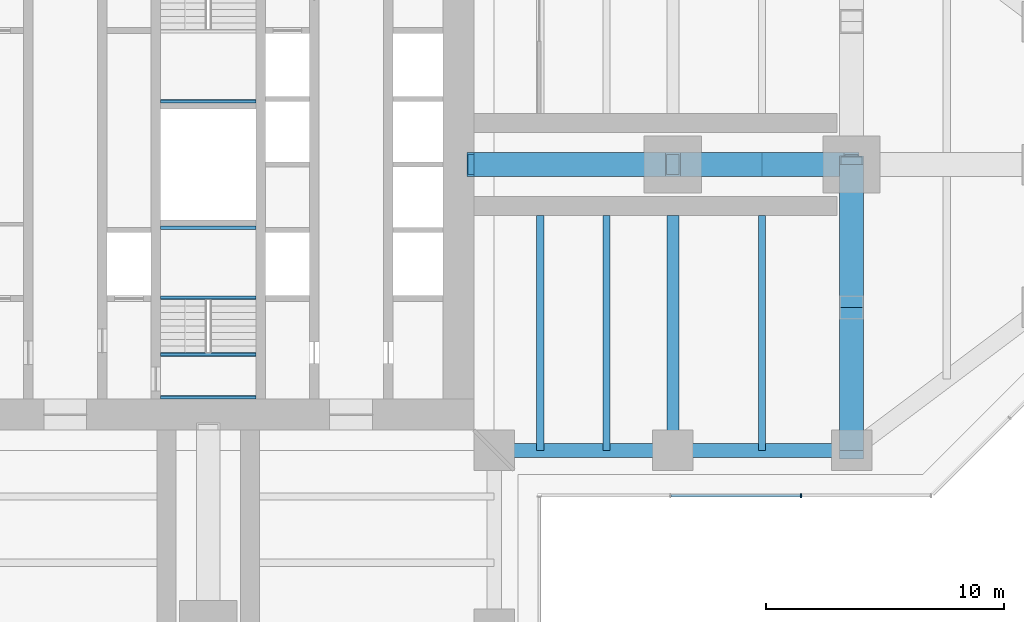
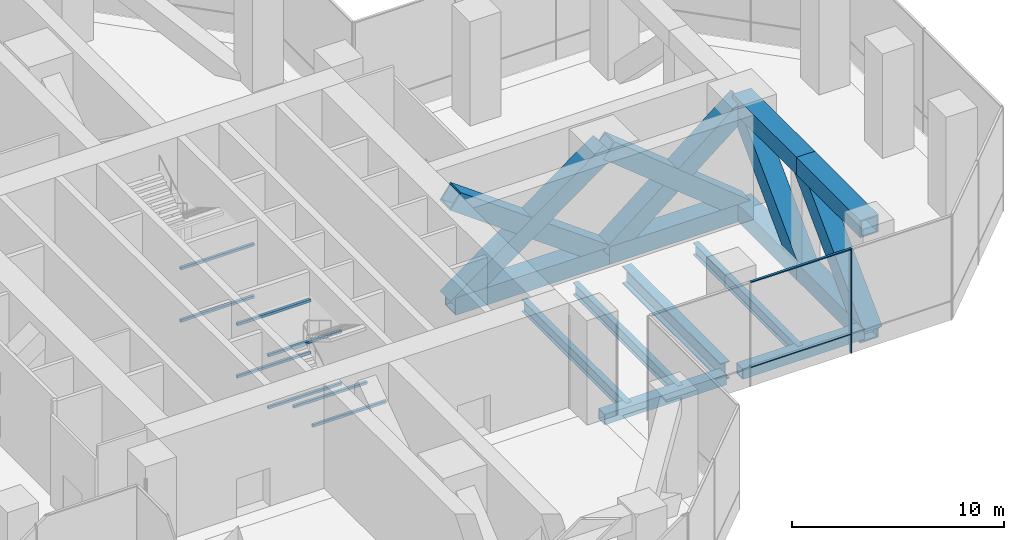
# One storey, part 5 of 19: 16 beams, 13 members, 1 element without a shape of its own.
"""IFC4 building model written with IfcOpenShell, lengths in metres."""

from ifc_helpers import new_model, si_unit, direction, frame, origin, origin_2d, place, context, subcontext, project, spatial, rectangle, hollow_rectangle, i_section, extrude, material, material_profile, profile_set, type_object, element, aggregate, save


model = new_model("IFC4")

# Units and contexts
model_context = context("Model", 3, precision=1e-05, world=origin(), true_north=direction((0.0, 1.0)))
body_context = subcontext(model_context, "Body", "Model", "MODEL_VIEW")
ifc_project = project(units=[si_unit("LENGTHUNIT", "METRE"), si_unit("AREAUNIT", "SQUARE_METRE"), si_unit("VOLUMEUNIT", "CUBIC_METRE"), si_unit("PLANEANGLEUNIT", "RADIAN"), si_unit("MASSUNIT", "GRAM", prefix="KILO")], contexts=[model_context])

# Site, building, storey
site_placement = place(None, origin())
site = spatial("IfcSite", under=ifc_project, at=site_placement, CompositionType="ELEMENT")
building_placement = place(site_placement, origin())
building = spatial("IfcBuilding", under=site, at=building_placement, Name="Mizan Broadcast Tower", CompositionType="ELEMENT")
storey_placement = place(building_placement, frame((0.0, 0.0, 198.89990234375)))
storey = spatial("IfcBuildingStorey", under=building, at=storey_placement, Name="L46", CompositionType="ELEMENT", Elevation=198.89990234375)

# Members
ifc_material_1 = material(Name="Steel S460", Category="steel")
ifc_material_profile_1 = material_profile(ifc_material_1, hollow_rectangle(XDim=1.0, YDim=1.0, WallThickness=0.080078125, at=origin_2d()), Name="BOX 1000x1000x80")
ifc_profile_set_1 = profile_set([ifc_material_profile_1], Name="Steel S460")
member_type_1 = type_object("IfcMemberType", Name="BELT TRUSS BT3 CHORD BOX 1000x1000x80", PredefinedType="CHORD", material=ifc_profile_set_1)
for number, where, z_axis, x_axis, name in (
    (1, (27.0, -12.0, -0.679931640625), (0.0, 1.0, 0.0), (-1.0, 0.0, 0.0), "Belt truss BT3-E27 bottom chord 1"),
    (2, (27.0, -12.0, 5.3701171875), (0.0, 1.0, 0.0), (-1.0, 0.0, 0.0), "Belt truss BT3-E27 top chord 1"),
    (3, (27.0, -6.0, -0.679931640625), (0.0, 1.0, 0.0), (-1.0, 0.0, 0.0), "Belt truss BT3-E27 bottom chord 2"),
    (4, (27.0, -6.0, 5.3701171875), (0.0, 1.0, 0.0), (-1.0, 0.0, 0.0), "Belt truss BT3-E27 top chord 2"),
):
    element("IfcMember", number, at=place(storey_placement, frame(where, z_axis=z_axis, x_axis=x_axis)), inside=storey, type_object=member_type_1, Name=name, PredefinedType="CHORD", context=body_context, shape_type="SweptSolid", body=[
        extrude(hollow_rectangle(XDim=1.0, YDim=1.0, WallThickness=0.080078125, at=origin_2d()), origin(), (0.0, 0.0, 1.0), 6.0),
    ])
ifc_material_2 = material(Name="Steel S460", Category="steel")
ifc_material_profile_2 = material_profile(ifc_material_2, hollow_rectangle(XDim=1.0, YDim=1.0, WallThickness=0.06005859375, at=origin_2d()), Name="BOX 1000x1000x60")
ifc_profile_set_2 = profile_set([ifc_material_profile_2], Name="Steel S460")
member_type_2 = type_object("IfcMemberType", Name="BELT TRUSS BT3 DIAGONAL BOX 1000x1000x60", PredefinedType="BRACE", material=ifc_profile_set_2)
for number, where, z_axis, x_axis, name in (
    (5, (27.0, -12.0, -0.679931640625), (0.0, 0.704163801085, 0.710037563261), (-1.0, 0.0, 0.0), "Belt truss BT3-E27 diagonal 1"),
    (6, (27.0, -6.0, -0.679931640625), (0.0, 0.704163801085, 0.710037563261), (-1.0, 0.0, 0.0), "Belt truss BT3-E27 diagonal 2"),
):
    element("IfcMember", number, at=place(storey_placement, frame(where, z_axis=z_axis, x_axis=x_axis)), inside=storey, type_object=member_type_2, Name=name, PredefinedType="BRACE", context=body_context, shape_type="SweptSolid", body=[
        extrude(hollow_rectangle(XDim=1.0, YDim=1.0, WallThickness=0.06005859375, at=origin_2d()), origin(), (0.0, 0.0, 1.0), 8.520751953125),
    ])

# Beams
ifc_material_3 = material(Name="Steel S355", Category="steel")
ifc_material_profile_3 = material_profile(ifc_material_3, hollow_rectangle(XDim=0.60009765625, YDim=0.60009765625, WallThickness=0.0400390625, at=origin_2d()), Name="BOX 600x600x40")
ifc_profile_set_3 = profile_set([ifc_material_profile_3], Name="Steel S355")
beam_type_1 = type_object("IfcBeamType", Name="EDGE BEAM BOX 600x600x40", PredefinedType="SPANDREL", material=ifc_profile_set_3)
for number, where, z_axis, x_axis, name in (
    (7, (12.449951171875, -12.0, -0.47998046875), (1.0, 0.0, 0.0), (0.0, 1.0, 0.0), "Edge beam BOX 600x600x40 L46 east arm"),
    (8, (19.949951171875, -12.0, -0.47998046875), (1.0, 0.0, 0.0), (0.0, 1.0, 0.0), "Edge beam BOX 600x600x40 L46 east arm"),
):
    element("IfcBeam", number, at=place(storey_placement, frame(where, z_axis=z_axis, x_axis=x_axis)), inside=storey, type_object=beam_type_1, Name=name, PredefinedType="SPANDREL", context=body_context, shape_type="SweptSolid", body=[
        extrude(hollow_rectangle(XDim=0.60009765625, YDim=0.60009765625, WallThickness=0.0400390625, at=origin_2d()), origin(), (0.0, 0.0, 1.0), 6.60009765625),
    ])
ifc_material_4 = material(Name="Steel S460", Category="steel")
ifc_material_profile_4 = material_profile(ifc_material_4, i_section(OverallWidth=0.5, OverallDepth=1.0, WebThickness=0.02490234375, FlangeThickness=0.050048828125, at=origin_2d()), Name="WPG 1000x500")
ifc_profile_set_4 = profile_set([ifc_material_profile_4], Name="Steel S460")
beam_type_2 = type_object("IfcBeamType", Name="GIRDER WPG 1000x500", PredefinedType="BEAM", material=ifc_profile_set_4)
beam_1_placement = place(storey_placement, frame((19.5, -11.408935546875, -0.679931640625), z_axis=(0.0, 1.0, 0.0), x_axis=(-1.0, 0.0, 0.0)))
element("IfcBeam", 9, at=beam_1_placement, inside=storey, type_object=beam_type_2, Name="Girder WPG 1000x500 L46 east arm", PredefinedType="BEAM", context=body_context, shape_type="SweptSolid", body=[
    extrude(i_section(OverallWidth=0.5, OverallDepth=1.0, WebThickness=0.02490234375, FlangeThickness=0.050048828125, at=origin_2d()), origin(), (0.0, 0.0, 1.0), 9.259033203125),
])

# Curtain wall, members
ifc_material_5 = material(Name="Aluminium framed glazing", Category="aluminium")
curtain_wall_type = type_object("IfcCurtainWallType", Name="PLANT LOUVRE", PredefinedType="USERDEFINED", material=ifc_material_5)
curtain_wall_placement = place(storey_placement, origin())
curtain_wall = element("IfcCurtainWall", 10, at=curtain_wall_placement, inside=storey, type_object=curtain_wall_type, Name="Plant louvre L46 E side", ObjectType="PLANT LOUVRE", PredefinedType="USERDEFINED")
ifc_material_6 = material(Name="Aluminium, pale anodised", Category="aluminium")
ifc_material_profile_5 = material_profile(ifc_material_6, rectangle(XDim=0.159912109375, YDim=0.06005859375, at=origin_2d()), Name="MULLION 160x60")
ifc_profile_set_5 = profile_set([ifc_material_profile_5], Name="Aluminium, pale anodised")
member_type_3 = type_object("IfcMemberType", Name="INNER SKIN MULLION 60x160", PredefinedType="MULLION", material=ifc_profile_set_5)
member_1_placement = place(storey_placement, frame((24.8818359375, -13.89990234375, 0.0), z_axis=(0.0, 0.0, 1.0), x_axis=(0.0, 1.0, 0.0)))
member_1 = element("IfcMember", 11, at=member_1_placement, type_object=member_type_3, Name="Plant louvre L46 E side mullion 3", PredefinedType="MULLION", context=body_context, shape_type="SweptSolid", body=[
    extrude(rectangle(XDim=0.159912109375, YDim=0.06005859375, at=origin_2d()), origin(), (0.0, 0.0, 1.0), 6.0),
])
ifc_material_7 = material(Name="Aluminium, pale anodised", Category="aluminium")
ifc_material_profile_6 = material_profile(ifc_material_7, rectangle(XDim=0.1201171875, YDim=0.06005859375, at=origin_2d()), Name="TRANSOM 120x60")
ifc_profile_set_6 = profile_set([ifc_material_profile_6], Name="Aluminium, pale anodised")
member_type_4 = type_object("IfcMemberType", Name="INNER SKIN TRANSOM 60x120", PredefinedType="USERDEFINED", material=ifc_profile_set_6)
member_2_placement = place(storey_placement, frame((19.4208984375, -13.89990234375, 1.10009765625), z_axis=(1.0, 0.0, 0.0), x_axis=(0.0, 1.0, 0.0)))
member_2 = element("IfcMember", 12, at=member_2_placement, type_object=member_type_4, Name="Plant louvre L46 E side transom 2.1", ObjectType="TRANSOM", PredefinedType="USERDEFINED", context=body_context, shape_type="SweptSolid", body=[
    extrude(rectangle(XDim=0.1201171875, YDim=0.06005859375, at=origin_2d()), origin(), (0.0, 0.0, 1.0), 5.430908203125),
])
member_3_placement = place(storey_placement, frame((19.4208984375, -13.89990234375, 5.97021484375), z_axis=(1.0, 0.0, 0.0), x_axis=(0.0, 1.0, 0.0)))
member_3 = element("IfcMember", 13, at=member_3_placement, type_object=member_type_4, Name="Plant louvre L46 E side transom 2.2", ObjectType="TRANSOM", PredefinedType="USERDEFINED", context=body_context, shape_type="SweptSolid", body=[
    extrude(rectangle(XDim=0.1201171875, YDim=0.06005859375, at=origin_2d()), origin(), (0.0, 0.0, 1.0), 5.430908203125),
])
aggregate(curtain_wall, [member_1, member_2, member_3])

# Beams
ifc_material_8 = material(Name="Steel S355", Category="steel")
ifc_material_profile_7 = material_profile(ifc_material_8, hollow_rectangle(XDim=0.14990234375, YDim=0.14990234375, WallThickness=0.008056640625, InnerFilletRadius=0.008056640625, OuterFilletRadius=0.011962890625, at=origin_2d()), Name="SHS 150x150x8")
ifc_profile_set_7 = profile_set([ifc_material_profile_7], Name="Steel S355")
beam_type_3 = type_object("IfcBeamType", Name="LANDING TRIMMER SHS 150x150x8", PredefinedType="BEAM", material=ifc_profile_set_7)
for number, where, z_axis, x_axis, name in (
    (14, (-2.0, -5.5849609375, 1.22509765625), (1.0, 0.0, 0.0), (0.0, 1.0, 0.0), "Stair A landing trimmer L46"),
    (15, (-2.0, -2.64990234375, 1.22509765625), (1.0, 0.0, 0.0), (0.0, 1.0, 0.0), "Stair A landing trimmer L46"),
    (16, (-2.0, -9.77490234375, 2.72509765625), (1.0, 0.0, 0.0), (0.0, 1.0, 0.0), "Stair A landing trimmer L46"),
    (17, (-2.0, -7.97509765625, 2.72509765625), (1.0, 0.0, 0.0), (0.0, 1.0, 0.0), "Stair A landing trimmer L46"),
    (18, (-2.0, -5.5849609375, 4.22509765625), (1.0, 0.0, 0.0), (0.0, 1.0, 0.0), "Stair A landing trimmer L46"),
    (19, (-2.0, -2.64990234375, 4.22509765625), (1.0, 0.0, 0.0), (0.0, 1.0, 0.0), "Stair A landing trimmer L46"),
    (20, (2.0, 2.64990234375, 1.22509765625), (-1.0, 0.0, 0.0), (0.0, -1.0, 0.0), "Stair B landing trimmer L46"),
    (21, (2.0, 2.64990234375, 4.22509765625), (-1.0, 0.0, 0.0), (0.0, -1.0, 0.0), "Stair B landing trimmer L46"),
):
    element("IfcBeam", number, at=place(storey_placement, frame(where, z_axis=z_axis, x_axis=x_axis)), inside=storey, type_object=beam_type_3, Name=name, PredefinedType="BEAM", context=body_context, shape_type="SweptSolid", body=[
        extrude(hollow_rectangle(XDim=0.14990234375, YDim=0.14990234375, WallThickness=0.008056640625, InnerFilletRadius=0.008056640625, OuterFilletRadius=0.011962890625, at=origin_2d()), origin(), (0.0, 0.0, 1.0), 4.0),
    ])
ifc_material_9 = material(Name="Steel S460", Category="steel")
ifc_material_profile_8 = material_profile(ifc_material_9, hollow_rectangle(XDim=1.0, YDim=1.0, WallThickness=0.080078125, at=origin_2d()), Name="BOX 1000x1000x80")
ifc_profile_set_8 = profile_set([ifc_material_profile_8], Name="Steel S460")
beam_type_4 = type_object("IfcBeamType", Name="OUTRIGGER TRUSS OT3 CHORD BOX 1000x1000x80", PredefinedType="BEAM", material=ifc_profile_set_8)
beam_2_placement = place(storey_placement, frame((11.14990234375, 0.0, -0.679931640625), z_axis=(1.0, 0.0, 0.0), x_axis=(0.0, 1.0, 0.0)))
element("IfcBeam", 22, at=beam_2_placement, inside=storey, type_object=beam_type_4, Name="Outrigger truss OT3-E bottom chord 1", PredefinedType="BEAM", context=body_context, shape_type="SweptSolid", body=[
    extrude(hollow_rectangle(XDim=1.0, YDim=1.0, WallThickness=0.080078125, at=origin_2d()), origin(), (0.0, 0.0, 1.0), 8.35009765625),
])
beam_3_placement = place(storey_placement, frame((19.5, 0.0, -0.679931640625), z_axis=(1.0, 0.0, 0.0), x_axis=(0.0, 1.0, 0.0)))
element("IfcBeam", 23, at=beam_3_placement, inside=storey, type_object=beam_type_4, Name="Outrigger truss OT3-E bottom chord 2", PredefinedType="BEAM", context=body_context, shape_type="SweptSolid", body=[
    extrude(hollow_rectangle(XDim=1.0, YDim=1.0, WallThickness=0.080078125, at=origin_2d()), origin(), (0.0, 0.0, 1.0), 7.5),
])

# Members
ifc_material_10 = material(Name="Steel S460", Category="steel")
ifc_material_profile_9 = material_profile(ifc_material_10, hollow_rectangle(XDim=1.0, YDim=1.0, WallThickness=0.080078125, at=origin_2d()), Name="BOX 1000x1000x80")
ifc_profile_set_9 = profile_set([ifc_material_profile_9], Name="Steel S460")
member_type_5 = type_object("IfcMemberType", Name="OUTRIGGER TRUSS OT3 DIAGONAL BOX 1000x1000x80", PredefinedType="BRACE", material=ifc_profile_set_9)
for number, where, z_axis, x_axis, name in (
    (24, (11.14990234375, 0.0, -0.679931640625), (0.809784242605, 0.0, 0.586727773698), (0.0, 1.0, 0.0), "Outrigger truss OT3-E panel 1 diagonal 1"),
    (25, (11.14990234375, 0.0, 5.3701171875), (0.809784242605, 0.0, -0.586727773698), (0.0, 1.0, 0.0), "Outrigger truss OT3-E panel 1 diagonal 2"),
):
    element("IfcMember", number, at=place(storey_placement, frame(where, z_axis=z_axis, x_axis=x_axis)), inside=storey, type_object=member_type_5, Name=name, PredefinedType="BRACE", context=body_context, shape_type="SweptSolid", body=[
        extrude(hollow_rectangle(XDim=1.0, YDim=1.0, WallThickness=0.080078125, at=origin_2d()), origin(), (0.0, 0.0, 1.0), 10.3115234375),
    ])
for number, where, z_axis, x_axis, name in (
    (26, (19.5, 0.0, -0.679931640625), (0.77832876476, 0.0, 0.627856937484), (0.0, 1.0, 0.0), "Outrigger truss OT3-E panel 2 diagonal 1"),
    (27, (19.5, 0.0, 5.3701171875), (0.77832876476, 0.0, -0.627856937484), (0.0, 1.0, 0.0), "Outrigger truss OT3-E panel 2 diagonal 2"),
):
    element("IfcMember", number, at=place(storey_placement, frame(where, z_axis=z_axis, x_axis=x_axis)), inside=storey, type_object=member_type_5, Name=name, PredefinedType="BRACE", context=body_context, shape_type="SweptSolid", body=[
        extrude(hollow_rectangle(XDim=1.0, YDim=1.0, WallThickness=0.080078125, at=origin_2d()), origin(), (0.0, 0.0, 1.0), 9.635986328125),
    ])

# Beams
ifc_material_11 = material(Name="Steel S355", Category="steel")
ifc_material_profile_10 = material_profile(ifc_material_11, i_section(OverallWidth=0.300048828125, OverallDepth=0.68994140625, WebThickness=0.014404296875, FlangeThickness=0.027099609375, FilletRadius=0.027099609375, at=origin_2d()), Name="HEA 700")
ifc_profile_set_10 = profile_set([ifc_material_profile_10], Name="Steel S355")
beam_type_5 = type_object("IfcBeamType", Name="SECONDARY BEAM HEA 700", PredefinedType="JOIST", material=ifc_profile_set_10)
for number, where, z_axis, x_axis, name in (
    (28, (13.933349609375, -12.0, -0.52490234375), (0.0, 1.0, 0.0), (-1.0, 0.0, 0.0), "Secondary beam HEA 700 L46 east arm"),
    (29, (16.716552734375, -12.0, -0.52490234375), (0.0, 1.0, 0.0), (-1.0, 0.0, 0.0), "Secondary beam HEA 700 L46 east arm"),
    (30, (23.25, -12.0, -0.52490234375), (0.0, 1.0, 0.0), (-1.0, 0.0, 0.0), "Secondary beam HEA 700 L46 east arm"),
):
    element("IfcBeam", number, at=place(storey_placement, frame(where, z_axis=z_axis, x_axis=x_axis)), inside=storey, type_object=beam_type_5, Name=name, PredefinedType="JOIST", context=body_context, shape_type="SweptSolid", body=[
        extrude(i_section(OverallWidth=0.300048828125, OverallDepth=0.68994140625, WebThickness=0.014404296875, FlangeThickness=0.027099609375, FilletRadius=0.027099609375, at=origin_2d()), origin(), (0.0, 0.0, 1.0), 9.85009765625),
    ])

save(model, "model.ifc")
